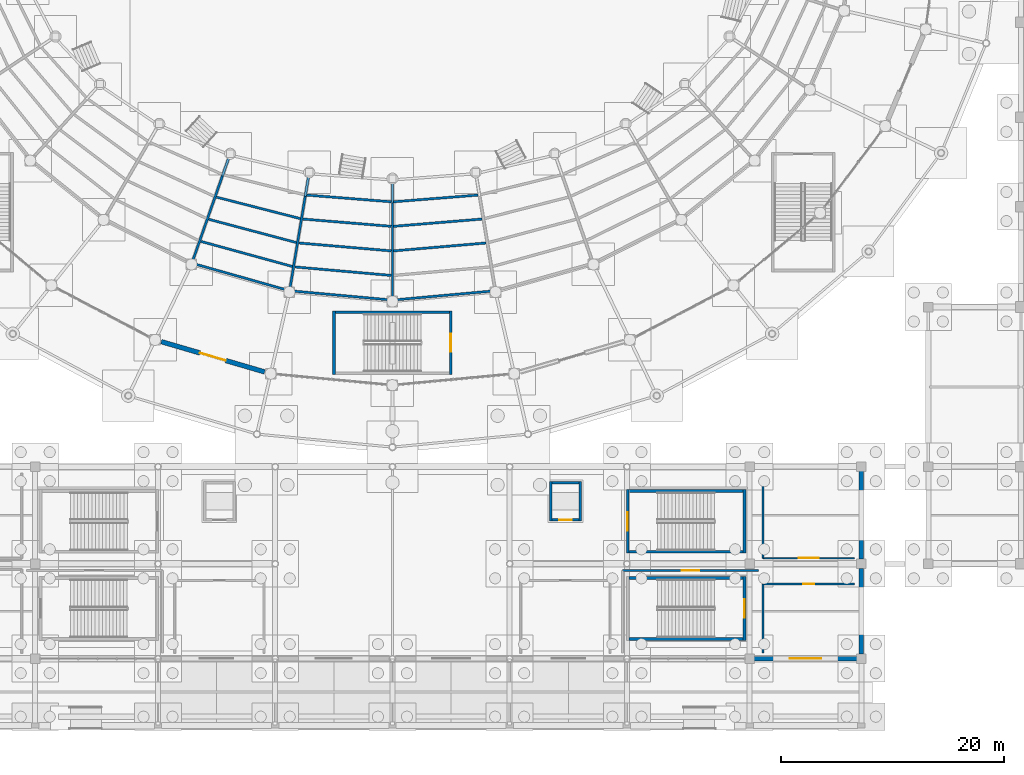
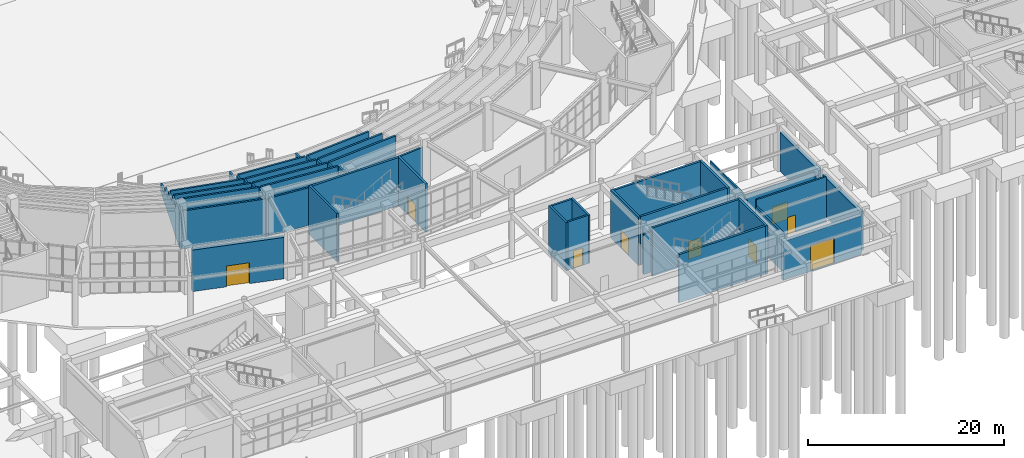
# One storey, part 84 of 121: 39 walls, 9 doors, 9 openings.
"""IFC4 building model written with IfcOpenShell, lengths in metres."""

from ifc_helpers import new_model, si_unit, direction, frame, frame_2d, origin, place, context, subcontext, project, spatial, polyline, rectangle, outline, extrude, material, layer, layer_set, type_object, element, fill, save


model = new_model("IFC4")

# Units and contexts
model_context = context("Model", 3, precision=1e-05, world=origin(), true_north=direction((0.0, 1.0)))
body_context = subcontext(model_context, "Body", "Model", "MODEL_VIEW")
ifc_project = project(units=[si_unit("LENGTHUNIT", "METRE"), si_unit("AREAUNIT", "SQUARE_METRE"), si_unit("VOLUMEUNIT", "CUBIC_METRE"), si_unit("PLANEANGLEUNIT", "RADIAN"), si_unit("MASSUNIT", "GRAM", prefix="KILO")], contexts=[model_context])

# Site, building, storey
site_placement = place(None, origin())
site = spatial("IfcSite", under=ifc_project, at=site_placement, CompositionType="ELEMENT")
building_placement = place(site_placement, origin())
building = spatial("IfcBuilding", under=site, at=building_placement, Name="Cuetzalor Civic Arena", CompositionType="ELEMENT")
storey_placement = place(building_placement, origin())
storey = spatial("IfcBuildingStorey", under=building, at=storey_placement, Name="L00", CompositionType="ELEMENT", Elevation=0.0)

# Wall, opening, door
ifc_material_1 = material(Name="Acoustic steel-stud gypsum partition", Category="steel")
ifc_layer_1 = layer(ifc_material_1, 0.14990234375)
ifc_layer_set_1 = layer_set([ifc_layer_1], Name="Acoustic steel-stud gypsum partition")
wall_type_1 = type_object("IfcWallType", Name="AcousticGypsumPartition_150", PredefinedType="PARTITIONING", material=ifc_layer_set_1)
wall_1_placement = place(storey_placement, frame((41.39990234375, -56.5, 0.0), z_axis=(0.0, 0.0, 1.0), x_axis=(-1.0, 0.0, 0.0)))
wall_1 = element("IfcWall", 1, at=wall_1_placement, inside=storey, type_object=wall_type_1, Name="Interior Partition IWALL:L00:0077", PredefinedType="PARTITIONING", context=body_context, shape_type="SweptSolid", body=[
    extrude(rectangle(XDim=8.199951171875, YDim=0.14990234375, at=frame_2d((4.10009765625, 0.0))), origin(), (0.0, 0.0, 1.0), 4.824951171875),
])
opening_1_placement = place(wall_1_placement, frame((3.199951171875, 0.0, 0.0)))
opening_1 = element("IfcOpeningElement", 2, at=opening_1_placement, cuts=wall_1, Name="Opening ID-06", PredefinedType="OPENING", context=body_context, shape_type="SweptSolid", body=[
    extrude(rectangle(XDim=1.800048828125, YDim=2.199951171875, at=frame_2d((0.89990234375, 1.10009765625))), frame((0.0, 0.0849609375, 0.0), z_axis=(0.0, -1.0, 0.0), x_axis=(1.0, 0.0, 0.0)), (0.0, 0.0, 1.0), 0.169921875),
])
ifc_material_2 = material(Name="Glazed bronze acoustic double door", Category="metal")
door_type_1 = type_object("IfcDoorType", Name="PublicDoubleDoor_1800x2200", OperationType="DOUBLE_DOOR_SINGLE_SWING", PredefinedType="DOOR", material=ifc_material_2)
door_1_placement = place(opening_1_placement, origin())
door_1 = element("IfcDoor", 3, at=door_1_placement, inside=storey, type_object=door_type_1, Name="Door to Arena Cafe", OperationType="DOUBLE_DOOR_SINGLE_SWING", OverallHeight=2.199951171875, OverallWidth=1.800048828125, PredefinedType="DOOR", context=body_context, shape_type="SweptSolid", body=[
    extrude(rectangle(XDim=1.800048828125, YDim=2.199951171875, at=frame_2d((0.89990234375, 1.10009765625))), frame((0.0, 0.02490234375, 0.0), z_axis=(0.0, -1.0, 0.0), x_axis=(1.0, 0.0, 0.0)), (0.0, 0.0, 1.0), 0.050048828125),
])
fill(opening_1, door_1)

# Wall
wall_2_placement = place(storey_placement, frame((33.199951171875, -56.5, 0.0), z_axis=(0.0, 0.0, 1.0), x_axis=(0.0, 1.0, 0.0)))
element("IfcWall", 4, at=wall_2_placement, inside=storey, type_object=wall_type_1, Name="Interior Partition IWALL:L00:0078", PredefinedType="PARTITIONING", context=body_context, shape_type="SweptSolid", body=[
    extrude(rectangle(XDim=7.0, YDim=0.14990234375, at=frame_2d((3.5, 0.0))), origin(), (0.0, 0.0, 1.0), 4.824951171875),
])

# Wall, opening, door
ifc_material_3 = material(Name="Puebla cantera gris stone on Concrete C35/45", Category="masonry")
ifc_layer_2 = layer(ifc_material_3, 0.419921875)
ifc_layer_set_2 = layer_set([ifc_layer_2], Name="Puebla cantera gris stone on Concrete C35/45")
wall_type_2 = type_object("IfcWallType", Name="CanteraStoneArcadeWall_420", PredefinedType="SOLIDWALL", material=ifc_layer_set_2)
wall_3_placement = place(storey_placement, frame((-11.451904296875, -39.8115234375, 0.0), z_axis=(0.0, 0.0, 1.0), x_axis=(-0.95970445843, 0.281011303101, 0.0)))
wall_3 = element("IfcWall", 5, at=wall_3_placement, inside=storey, type_object=wall_type_2, Name="Drum Ground Colonnade Portal Wall L00-006", PredefinedType="SOLIDWALL", context=body_context, shape_type="SweptSolid", body=[
    extrude(rectangle(XDim=9.64892578125, YDim=0.419921875, at=frame_2d((4.824462890625, 0.0))), origin(), (0.0, 0.0, 1.0), 5.156982421875),
])
opening_2_placement = place(wall_3_placement, frame((3.62451171875, 0.0, 0.0)))
opening_2 = element("IfcOpeningElement", 6, at=opening_2_placement, cuts=wall_3, Name="Opening ED-08", PredefinedType="OPENING", context=body_context, shape_type="SweptSolid", body=[
    extrude(rectangle(XDim=2.39990234375, YDim=2.60009765625, at=frame_2d((1.199951171875, 1.300048828125))), frame((0.0, 0.219970703125, 0.0), z_axis=(0.0, -1.0, 0.0), x_axis=(1.0, 0.0, 0.0)), (0.0, 0.0, 1.0), 0.43994140625),
])
ifc_material_4 = material(Name="Thermally broken bronze steel and laminated glass", Category="steel")
door_type_2 = type_object("IfcDoorType", Name="PedestrianExitPortal_2400x2600", OperationType="DOUBLE_DOOR_SINGLE_SWING", PredefinedType="DOOR", material=ifc_material_4)
door_2_placement = place(opening_2_placement, origin())
door_2 = element("IfcDoor", 7, at=door_2_placement, inside=storey, type_object=door_type_2, Name="Pedestrian exit gate G06", OperationType="DOUBLE_DOOR_SINGLE_SWING", OverallHeight=2.60009765625, OverallWidth=2.39990234375, PredefinedType="DOOR", context=body_context, shape_type="SweptSolid", body=[
    extrude(rectangle(XDim=2.39990234375, YDim=2.60009765625, at=frame_2d((1.199951171875, 1.300048828125))), frame((0.0, 0.02490234375, 0.0), z_axis=(0.0, -1.0, 0.0), x_axis=(1.0, 0.0, 0.0)), (0.0, 0.0, 1.0), 0.050048828125),
])
fill(opening_2, door_2)

wall_4_placement = place(storey_placement, frame((41.593017578125, -65.5, 0.0), z_axis=(0.0, 0.0, 1.0), x_axis=(-1.0, 0.0, 0.0)))
wall_4 = element("IfcWall", 8, at=wall_4_placement, inside=storey, type_object=wall_type_2, Name="South Foyer Colonnade Entrance Wall L00-094", PredefinedType="SOLIDWALL", context=body_context, shape_type="SweptSolid", body=[
    extrude(rectangle(XDim=9.18603515625, YDim=0.419921875, at=frame_2d((4.593017578125, 0.0))), origin(), (0.0, 0.0, 1.0), 4.840087890625),
])
opening_3_placement = place(wall_4_placement, frame((3.193115234375, 0.0, 0.0)))
opening_3 = element("IfcOpeningElement", 9, at=opening_3_placement, cuts=wall_4, Name="Opening ED-03", PredefinedType="OPENING", context=body_context, shape_type="SweptSolid", body=[
    extrude(rectangle(XDim=2.800048828125, YDim=3.199951171875, at=frame_2d((1.39990234375, 1.60009765625))), frame((0.0, 0.219970703125, 0.0), z_axis=(0.0, -1.0, 0.0), x_axis=(1.0, 0.0, 0.0)), (0.0, 0.0, 1.0), 0.43994140625),
])
ifc_material_5 = material(Name="Thermally broken bronze steel and laminated glass", Category="steel")
door_type_3 = type_object("IfcDoorType", Name="MainColonnadeEntrance_2800x3200", OperationType="DOUBLE_DOOR_SINGLE_SWING", PredefinedType="DOOR", material=ifc_material_5)
door_3_placement = place(opening_3_placement, origin())
door_3 = element("IfcDoor", 10, at=door_3_placement, inside=storey, type_object=door_type_3, Name="Main entrance E06", OperationType="DOUBLE_DOOR_SINGLE_SWING", OverallHeight=3.199951171875, OverallWidth=2.800048828125, PredefinedType="DOOR", context=body_context, shape_type="SweptSolid", body=[
    extrude(rectangle(XDim=2.800048828125, YDim=3.199951171875, at=frame_2d((1.39990234375, 1.60009765625))), frame((0.0, 0.02490234375, 0.0), z_axis=(0.0, -1.0, 0.0), x_axis=(1.0, 0.0, 0.0)), (0.0, 0.0, 1.0), 0.050048828125),
])
fill(opening_3, door_3)

# Walls
ifc_material_6 = material(Name="Concrete C40/50", Category="concrete")
ifc_layer_3 = layer(ifc_material_6, 0.25)
ifc_layer_set_3 = layer_set([ifc_layer_3], Name="Concrete C40/50")
wall_type_3 = type_object("IfcWallType", Name="ConcreteCoreShearWall_250", PredefinedType="SHEAR", material=ifc_layer_set_3)
wall_5_placement = place(storey_placement, frame((-5.22509765625, -40.050048828125, 0.0), z_axis=(0.0, 0.0, 1.0), x_axis=(0.0, 1.0, 0.0)))
element("IfcWall", 11, at=wall_5_placement, inside=storey, type_object=wall_type_3, Name="Stair Core Shear Wall ST-07-L00-W", PredefinedType="SHEAR", context=body_context, shape_type="SweptSolid", body=[
    extrude(rectangle(XDim=5.699951171875, YDim=0.25, at=frame_2d((2.85009765625, 0.0))), origin(), (0.0, 0.0, 1.0), 6.0),
])
wall_6_placement = place(storey_placement, frame((-5.10009765625, -34.47509765625, 0.0), z_axis=(0.0, 0.0, 1.0), x_axis=(1.0, 0.0, 0.0)))
element("IfcWall", 12, at=wall_6_placement, inside=storey, type_object=wall_type_3, Name="Stair Core Shear Wall ST-07-L00-N", PredefinedType="SHEAR", context=body_context, shape_type="SweptSolid", body=[
    extrude(rectangle(XDim=10.2001953125, YDim=0.25, at=frame_2d((5.10009765625, 0.0))), origin(), (0.0, 0.0, 1.0), 6.0),
])

# Wall, opening, door
wall_7_placement = place(storey_placement, frame((5.22509765625, -34.35009765625, 0.0), z_axis=(0.0, 0.0, 1.0), x_axis=(0.0, -1.0, 0.0)))
wall_7 = element("IfcWall", 13, at=wall_7_placement, inside=storey, type_object=wall_type_3, Name="Stair Core Shear Wall ST-07-L00-E", PredefinedType="SHEAR", context=body_context, shape_type="SweptSolid", body=[
    extrude(rectangle(XDim=5.699951171875, YDim=0.25, at=frame_2d((2.85009765625, 0.0))), origin(), (0.0, 0.0, 1.0), 6.0),
])
opening_4_placement = place(wall_7_placement, frame((2.02490234375, 0.0, 0.0)))
opening_4 = element("IfcOpeningElement", 14, at=opening_4_placement, cuts=wall_7, Name="Opening FD-04", PredefinedType="OPENING", context=body_context, shape_type="SweptSolid", body=[
    extrude(rectangle(XDim=1.64990234375, YDim=2.199951171875, at=frame_2d((0.824951171875, 1.10009765625))), frame((0.0, 0.135009765625, 0.0), z_axis=(0.0, -1.0, 0.0), x_axis=(1.0, 0.0, 0.0)), (0.0, 0.0, 1.0), 0.27001953125),
])
ifc_material_7 = material(Name="Fire-rated steel stair exit double door", Category="steel")
door_type_4 = type_object("IfcDoorType", Name="StairFireDoubleDoor_1650x2200", OperationType="DOUBLE_DOOR_SINGLE_SWING", PredefinedType="DOOR", material=ifc_material_7)
door_4_placement = place(opening_4_placement, origin())
door_4 = element("IfcDoor", 15, at=door_4_placement, inside=storey, type_object=door_type_4, Name="Fire Stair Door ST-07 L00", OperationType="DOUBLE_DOOR_SINGLE_SWING", OverallHeight=2.199951171875, OverallWidth=1.64990234375, PredefinedType="DOOR", context=body_context, shape_type="SweptSolid", body=[
    extrude(rectangle(XDim=1.64990234375, YDim=2.199951171875, at=frame_2d((0.824951171875, 1.10009765625))), frame((0.0, 0.02490234375, 0.0), z_axis=(0.0, -1.0, 0.0), x_axis=(1.0, 0.0, 0.0)), (0.0, 0.0, 1.0), 0.050048828125),
])
fill(opening_4, door_4)

wall_8_placement = place(storey_placement, frame((21.074951171875, -56.050048828125, 0.0), z_axis=(0.0, 0.0, 1.0), x_axis=(0.0, 1.0, 0.0)))
wall_8 = element("IfcWall", 16, at=wall_8_placement, inside=storey, type_object=wall_type_3, Name="Stair Core Shear Wall ST-11-L00-W", PredefinedType="SHEAR", context=body_context, shape_type="SweptSolid", body=[
    extrude(rectangle(XDim=5.699951171875, YDim=0.25, at=frame_2d((2.85009765625, 0.0))), origin(), (0.0, 0.0, 1.0), 6.0),
])
opening_5_placement = place(wall_8_placement, frame((2.02490234375, 0.0, 0.0)))
opening_5 = element("IfcOpeningElement", 17, at=opening_5_placement, cuts=wall_8, Name="Opening FD-04", PredefinedType="OPENING", context=body_context, shape_type="SweptSolid", body=[
    extrude(rectangle(XDim=1.64990234375, YDim=2.199951171875, at=frame_2d((0.824951171875, 1.10009765625))), frame((0.0, 0.135009765625, 0.0), z_axis=(0.0, -1.0, 0.0), x_axis=(1.0, 0.0, 0.0)), (0.0, 0.0, 1.0), 0.27001953125),
])
door_5_placement = place(opening_5_placement, origin())
door_5 = element("IfcDoor", 18, at=door_5_placement, inside=storey, type_object=door_type_4, Name="Fire Stair Door ST-11 L00", OperationType="DOUBLE_DOOR_SINGLE_SWING", OverallHeight=2.199951171875, OverallWidth=1.64990234375, PredefinedType="DOOR", context=body_context, shape_type="SweptSolid", body=[
    extrude(rectangle(XDim=1.64990234375, YDim=2.199951171875, at=frame_2d((0.824951171875, 1.10009765625))), frame((0.0, 0.02490234375, 0.0), z_axis=(0.0, -1.0, 0.0), x_axis=(1.0, 0.0, 0.0)), (0.0, 0.0, 1.0), 0.050048828125),
])
fill(opening_5, door_5)

# Walls
wall_9_placement = place(storey_placement, frame((21.199951171875, -50.47509765625, 0.0), z_axis=(0.0, 0.0, 1.0), x_axis=(1.0, 0.0, 0.0)))
element("IfcWall", 19, at=wall_9_placement, inside=storey, type_object=wall_type_3, Name="Stair Core Shear Wall ST-11-L00-N", PredefinedType="SHEAR", context=body_context, shape_type="SweptSolid", body=[
    extrude(rectangle(XDim=10.199951171875, YDim=0.25, at=frame_2d((5.10009765625, 0.0))), origin(), (0.0, 0.0, 1.0), 6.0),
])
wall_10_placement = place(storey_placement, frame((31.52490234375, -50.35009765625, 0.0), z_axis=(0.0, 0.0, 1.0), x_axis=(0.0, -1.0, 0.0)))
element("IfcWall", 20, at=wall_10_placement, inside=storey, type_object=wall_type_3, Name="Stair Core Shear Wall ST-11-L00-E", PredefinedType="SHEAR", context=body_context, shape_type="SweptSolid", body=[
    extrude(rectangle(XDim=5.699951171875, YDim=0.25, at=frame_2d((2.85009765625, 0.0))), origin(), (0.0, 0.0, 1.0), 6.0),
])
for number, where, z_axis, x_axis, name in (
    (21, (31.39990234375, -55.925048828125, 0.0), (0.0, 0.0, 1.0), (-1.0, 0.0, 0.0), "Stair Core Shear Wall ST-11-L00-S"),
    (22, (21.199951171875, -58.27490234375, 0.0), (0.0, 0.0, 1.0), (1.0, 0.0, 0.0), "Stair Core Shear Wall ST-12-L00-N"),
):
    element("IfcWall", number, at=place(storey_placement, frame(where, z_axis=z_axis, x_axis=x_axis)), inside=storey, type_object=wall_type_3, Name=name, PredefinedType="SHEAR", context=body_context, shape_type="SweptSolid", body=[
        extrude(rectangle(XDim=10.199951171875, YDim=0.25, at=frame_2d((5.10009765625, 0.0))), origin(), (0.0, 0.0, 1.0), 6.0),
    ])

# Wall, opening, door
wall_11_placement = place(storey_placement, frame((31.52490234375, -58.14990234375, 0.0), z_axis=(0.0, 0.0, 1.0), x_axis=(0.0, -1.0, 0.0)))
wall_11 = element("IfcWall", 23, at=wall_11_placement, inside=storey, type_object=wall_type_3, Name="Stair Core Shear Wall ST-12-L00-E", PredefinedType="SHEAR", context=body_context, shape_type="SweptSolid", body=[
    extrude(rectangle(XDim=5.7001953125, YDim=0.25, at=frame_2d((2.85009765625, 0.0))), origin(), (0.0, 0.0, 1.0), 6.0),
])
opening_6_placement = place(wall_11_placement, frame((2.02490234375, 0.0, 0.0)))
opening_6 = element("IfcOpeningElement", 24, at=opening_6_placement, cuts=wall_11, Name="Opening FD-04", PredefinedType="OPENING", context=body_context, shape_type="SweptSolid", body=[
    extrude(rectangle(XDim=1.64990234375, YDim=2.199951171875, at=frame_2d((0.824951171875, 1.10009765625))), frame((0.0, 0.135009765625, 0.0), z_axis=(0.0, -1.0, 0.0), x_axis=(1.0, 0.0, 0.0)), (0.0, 0.0, 1.0), 0.27001953125),
])
door_6_placement = place(opening_6_placement, origin())
door_6 = element("IfcDoor", 25, at=door_6_placement, inside=storey, type_object=door_type_4, Name="Fire Stair Door ST-12 L00", OperationType="DOUBLE_DOOR_SINGLE_SWING", OverallHeight=2.199951171875, OverallWidth=1.64990234375, PredefinedType="DOOR", context=body_context, shape_type="SweptSolid", body=[
    extrude(rectangle(XDim=1.64990234375, YDim=2.199951171875, at=frame_2d((0.824951171875, 1.10009765625))), frame((0.0, 0.02490234375, 0.0), z_axis=(0.0, -1.0, 0.0), x_axis=(1.0, 0.0, 0.0)), (0.0, 0.0, 1.0), 0.050048828125),
])
fill(opening_6, door_6)

# Wall
wall_12_placement = place(storey_placement, frame((31.39990234375, -63.72509765625, 0.0), z_axis=(0.0, 0.0, 1.0), x_axis=(-1.0, 0.0, 0.0)))
element("IfcWall", 26, at=wall_12_placement, inside=storey, type_object=wall_type_3, Name="Stair Core Shear Wall ST-12-L00-S", PredefinedType="SHEAR", context=body_context, shape_type="SweptSolid", body=[
    extrude(rectangle(XDim=10.199951171875, YDim=0.25, at=frame_2d((5.10009765625, 0.0))), origin(), (0.0, 0.0, 1.0), 6.0),
])

# Wall, opening, door
ifc_material_8 = material(Name="Fire-rated masonry and gypsum partition", Category="masonry")
ifc_layer_4 = layer(ifc_material_8, 0.199951171875)
ifc_layer_set_4 = layer_set([ifc_layer_4], Name="Fire-rated masonry and gypsum partition")
wall_type_4 = type_object("IfcWallType", Name="FireCompartmentWall_200", PredefinedType="PARTITIONING", material=ifc_layer_set_4)
wall_13_placement = place(storey_placement, frame((33.199951171875, -58.800048828125, 0.0), z_axis=(0.0, 0.0, 1.0), x_axis=(1.0, 0.0, 0.0)))
wall_13 = element("IfcWall", 27, at=wall_13_placement, inside=storey, type_object=wall_type_4, Name="Interior Partition IWALL:L00:0079", PredefinedType="PARTITIONING", context=body_context, shape_type="SweptSolid", body=[
    extrude(rectangle(XDim=8.199951171875, YDim=0.199951171875, at=frame_2d((4.10009765625, 0.0))), origin(), (0.0, 0.0, 1.0), 5.639892578125),
])
opening_7_placement = place(wall_13_placement, frame((3.60009765625, 0.0, 0.0)))
opening_7 = element("IfcOpeningElement", 28, at=opening_7_placement, cuts=wall_13, Name="Opening FD-01", PredefinedType="OPENING", context=body_context, shape_type="SweptSolid", body=[
    extrude(rectangle(XDim=1.0, YDim=2.14990234375, at=frame_2d((0.5, 1.074951171875))), frame((0.0, 0.10986328125, 0.0), z_axis=(0.0, -1.0, 0.0), x_axis=(1.0, 0.0, 0.0)), (0.0, 0.0, 1.0), 0.219970703125),
])
ifc_material_9 = material(Name="Fire-rated insulated steel door", Category="steel")
door_type_5 = type_object("IfcDoorType", Name="FireSingleDoor_1000x2150", OperationType="NOTDEFINED", PredefinedType="DOOR", material=ifc_material_9)
door_7_placement = place(opening_7_placement, origin())
door_7 = element("IfcDoor", 29, at=door_7_placement, inside=storey, type_object=door_type_5, Name="Door to Fire Command Centre L00", OperationType="SINGLE_SWING_LEFT", OverallHeight=2.14990234375, OverallWidth=1.0, PredefinedType="DOOR", context=body_context, shape_type="SweptSolid", body=[
    extrude(rectangle(XDim=1.0, YDim=2.14990234375, at=frame_2d((0.5, 1.074951171875))), frame((0.0, 0.02490234375, 0.0), z_axis=(0.0, -1.0, 0.0), x_axis=(1.0, 0.0, 0.0)), (0.0, 0.0, 1.0), 0.050048828125),
])
fill(opening_7, door_7)

# Wall
wall_14_placement = place(storey_placement, frame((33.199951171875, -65.0, 0.0), z_axis=(0.0, 0.0, 1.0), x_axis=(0.0, 1.0, 0.0)))
element("IfcWall", 30, at=wall_14_placement, inside=storey, type_object=wall_type_4, Name="Interior Partition IWALL:L00:0080", PredefinedType="PARTITIONING", context=body_context, shape_type="SweptSolid", body=[
    extrude(rectangle(XDim=6.199951171875, YDim=0.199951171875, at=frame_2d((3.10009765625, 0.0))), origin(), (0.0, 0.0, 1.0), 4.824951171875),
])

# Wall, opening, door
wall_15_placement = place(storey_placement, frame((20.60009765625, -57.60009765625, 0.0), z_axis=(0.0, 0.0, 1.0), x_axis=(1.0, 0.0, 0.0)))
wall_15 = element("IfcWall", 31, at=wall_15_placement, inside=storey, type_object=wall_type_4, Name="Interior Partition IWALL:L00:0089", PredefinedType="PARTITIONING", context=body_context, shape_type="SweptSolid", body=[
    extrude(rectangle(XDim=12.199951171875, YDim=0.199951171875, at=frame_2d((6.10009765625, 0.0))), origin(), (0.0, 0.0, 1.0), 5.02490234375),
])
opening_8_placement = place(wall_15_placement, frame((5.300048828125, 0.0, 0.0)))
opening_8 = element("IfcOpeningElement", 32, at=opening_8_placement, cuts=wall_15, Name="Opening FD-05", PredefinedType="OPENING", context=body_context, shape_type="SweptSolid", body=[
    extrude(rectangle(XDim=1.60009765625, YDim=2.199951171875, at=frame_2d((0.800048828125, 1.10009765625))), frame((0.0, 0.10986328125, 0.0), z_axis=(0.0, -1.0, 0.0), x_axis=(1.0, 0.0, 0.0)), (0.0, 0.0, 1.0), 0.219970703125),
])
ifc_material_10 = material(Name="Fire-rated smoke-seal lobby double door", Category="steel")
door_type_6 = type_object("IfcDoorType", Name="FireLobbyDoubleDoor_1600x2200", OperationType="DOUBLE_DOOR_SINGLE_SWING", PredefinedType="DOOR", material=ifc_material_10)
door_8_placement = place(opening_8_placement, origin())
door_8 = element("IfcDoor", 33, at=door_8_placement, inside=storey, type_object=door_type_6, Name="Door to Protected Exit Lobby Foyer East L00", OperationType="DOUBLE_DOOR_SINGLE_SWING", OverallHeight=2.199951171875, OverallWidth=1.60009765625, PredefinedType="DOOR", context=body_context, shape_type="SweptSolid", body=[
    extrude(rectangle(XDim=1.60009765625, YDim=2.199951171875, at=frame_2d((0.800048828125, 1.10009765625))), frame((0.0, 0.02490234375, 0.0), z_axis=(0.0, -1.0, 0.0), x_axis=(1.0, 0.0, 0.0)), (0.0, 0.0, 1.0), 0.050048828125),
])
fill(opening_8, door_8)

# Walls
ifc_material_11 = material(Name="Concrete C40/50", Category="concrete")
ifc_layer_5 = layer(ifc_material_11, 0.219970703125)
ifc_layer_set_5 = layer_set([ifc_layer_5], Name="Concrete C40/50")
wall_type_5 = type_object("IfcWallType", Name="LiftShaftShearWall_220", PredefinedType="SHEAR", material=ifc_layer_set_5)
wall_16_placement = place(storey_placement, frame((14.18994140625, -53.169921875, 0.0), z_axis=(0.0, 0.0, 1.0), x_axis=(0.0, 1.0, 0.0)))
element("IfcWall", 34, at=wall_16_placement, inside=storey, type_object=wall_type_5, Name="Lift Shaft Wall LP-02-L00-W", PredefinedType="SHEAR", context=body_context, shape_type="SweptSolid", body=[
    extrude(rectangle(XDim=3.5400390625, YDim=0.219970703125, at=frame_2d((1.77001953125, 0.0))), origin(), (0.0, 0.0, 1.0), 6.0),
])
wall_17_placement = place(storey_placement, frame((14.300048828125, -49.739990234375, 0.0), z_axis=(0.0, 0.0, 1.0), x_axis=(1.0, 0.0, 0.0)))
element("IfcWall", 35, at=wall_17_placement, inside=storey, type_object=wall_type_5, Name="Lift Shaft Wall LP-02-L00-N", PredefinedType="SHEAR", context=body_context, shape_type="SweptSolid", body=[
    extrude(rectangle(XDim=2.39990234375, YDim=0.219970703125, at=frame_2d((1.199951171875, 0.0))), origin(), (0.0, 0.0, 1.0), 6.0),
])
wall_18_placement = place(storey_placement, frame((16.81005859375, -49.6298828125, 0.0), z_axis=(0.0, 0.0, 1.0), x_axis=(0.0, -1.0, 0.0)))
element("IfcWall", 36, at=wall_18_placement, inside=storey, type_object=wall_type_5, Name="Lift Shaft Wall LP-02-L00-E", PredefinedType="SHEAR", context=body_context, shape_type="SweptSolid", body=[
    extrude(rectangle(XDim=3.5400390625, YDim=0.219970703125, at=frame_2d((1.77001953125, 0.0))), origin(), (0.0, 0.0, 1.0), 6.0),
])

# Wall, opening, door
wall_19_placement = place(storey_placement, frame((16.699951171875, -53.06005859375, 0.0), z_axis=(0.0, 0.0, 1.0), x_axis=(-1.0, 0.0, 0.0)))
wall_19 = element("IfcWall", 37, at=wall_19_placement, inside=storey, type_object=wall_type_5, Name="Lift Shaft Wall LP-02-L00-S", PredefinedType="SHEAR", context=body_context, shape_type="SweptSolid", body=[
    extrude(rectangle(XDim=2.39990234375, YDim=0.219970703125, at=frame_2d((1.199951171875, 0.0))), origin(), (0.0, 0.0, 1.0), 6.0),
])
opening_9_placement = place(wall_19_placement, frame((0.64990234375, 0.0, 0.0)))
opening_9 = element("IfcOpeningElement", 38, at=opening_9_placement, cuts=wall_19, Name="Opening LD-01", PredefinedType="OPENING", context=body_context, shape_type="SweptSolid", body=[
    extrude(rectangle(XDim=1.10009765625, YDim=2.199951171875, at=frame_2d((0.550048828125, 1.10009765625))), frame((0.0, 0.1201171875, 0.0), z_axis=(0.0, -1.0, 0.0), x_axis=(1.0, 0.0, 0.0)), (0.0, 0.0, 1.0), 0.239990234375),
])
ifc_material_12 = material(Name="Brushed stainless steel sliding lift landing door", Category="steel")
door_type_7 = type_object("IfcDoorType", Name="LiftLandingSlidingDoor_1100x2200", OperationType="SLIDING_TO_LEFT", PredefinedType="DOOR", material=ifc_material_12)
door_9_placement = place(opening_9_placement, origin())
door_9 = element("IfcDoor", 39, at=door_9_placement, inside=storey, type_object=door_type_7, Name="Lift Landing Sliding Door LP-02 L00", OperationType="SLIDING_TO_LEFT", OverallHeight=2.199951171875, OverallWidth=1.10009765625, PredefinedType="DOOR", context=body_context, shape_type="SweptSolid", body=[
    extrude(rectangle(XDim=1.10009765625, YDim=2.199951171875, at=frame_2d((0.550048828125, 1.10009765625))), frame((0.0, 0.02490234375, 0.0), z_axis=(0.0, -1.0, 0.0), x_axis=(1.0, 0.0, 0.0)), (0.0, 0.0, 1.0), 0.050048828125),
])
fill(opening_9, door_9)

# Walls
ifc_material_13 = material(Name="Precast concrete C40/50", Category="concrete")
ifc_layer_6 = layer(ifc_material_13, 0.2099609375)
ifc_layer_set_6 = layer_set([ifc_layer_6], Name="Precast concrete C40/50")
wall_type_6 = type_object("IfcWallType", Name="PrecastBowlRiserWall_210", PredefinedType="SHEAR", material=ifc_layer_set_6)
wall_20_placement = place(storey_placement, frame((-14.53515625, -20.271728515625, 0.0), z_axis=(0.0, 0.0, 1.0), x_axis=(-0.33053164726, -0.94379490895, 0.0)))
element("IfcWall", 40, at=wall_20_placement, inside=storey, type_object=wall_type_6, Name="Lower Bowl Radial Carrier Wall S20", PredefinedType="SHEAR", context=body_context, shape_type="SweptSolid", body=[
    extrude(outline(polyline([(0.0, 0.0), (10.501220703125, 0.0), (10.5009765625, 4.699951171875), (8.410888671875, 4.699951171875), (8.40087890625, 3.780029296875), (6.310546875, 3.780029296875), (6.300537109375, 2.860107421875), (4.21044921875, 2.860107421875), (4.200439453125, 1.93994140625), (2.110107421875, 1.93994140625), (2.10009765625, 1.02001953125), (0.0, 1.02001953125), (0.0, 0.0)])), frame((0.0, 0.10498046875, 0.0), z_axis=(0.0, -1.0, 0.0), x_axis=(1.0, 0.0, 0.0)), (0.0, 0.0, 1.0), 0.2099609375),
])
wall_21_placement = place(storey_placement, frame((-15.766845703125, -24.15478515625, 0.0), z_axis=(0.0, 0.0, 1.0), x_axis=(0.968720668809, -0.248153714102, 0.0)))
element("IfcWall", 41, at=wall_21_placement, inside=storey, type_object=wall_type_6, Name="Lower Bowl Riser Support Wall S20-R2", PredefinedType="SHEAR", context=body_context, shape_type="SweptSolid", body=[
    extrude(rectangle(XDim=7.765380859375, YDim=0.2099609375, at=frame_2d((3.8828125, 0.0))), origin(), (0.0, 0.0, 1.0), 2.860107421875),
])
wall_22_placement = place(storey_placement, frame((-16.461181640625, -26.1376953125, 0.0), z_axis=(0.0, 0.0, 1.0), x_axis=(0.966491526887, -0.25669851666, 0.0)))
element("IfcWall", 42, at=wall_22_placement, inside=storey, type_object=wall_type_6, Name="Lower Bowl Riser Support Wall S20-R3", PredefinedType="SHEAR", context=body_context, shape_type="SweptSolid", body=[
    extrude(rectangle(XDim=8.133544921875, YDim=0.2099609375, at=frame_2d((4.06689453125, 0.0))), origin(), (0.0, 0.0, 1.0), 3.780029296875),
])
wall_23_placement = place(storey_placement, frame((-17.15576171875, -28.120849609375, 0.0), z_axis=(0.0, 0.0, 1.0), x_axis=(0.964389789843, -0.264485034069, 0.0)))
element("IfcWall", 43, at=wall_23_placement, inside=storey, type_object=wall_type_6, Name="Lower Bowl Riser Support Wall S20-R4", PredefinedType="SHEAR", context=body_context, shape_type="SweptSolid", body=[
    extrude(rectangle(XDim=8.50244140625, YDim=0.2099609375, at=frame_2d((4.251220703125, 0.0))), origin(), (0.0, 0.0, 1.0), 4.699951171875),
])
wall_24_placement = place(storey_placement, frame((-17.85009765625, -30.103515625, 0.0), z_axis=(0.0, 0.0, 1.0), x_axis=(0.962386234361, -0.271684993905, 0.0)))
element("IfcWall", 44, at=wall_24_placement, inside=storey, type_object=wall_type_6, Name="Lower Bowl Riser Support Wall S20-R5", PredefinedType="SHEAR", context=body_context, shape_type="SweptSolid", body=[
    extrude(rectangle(XDim=8.8720703125, YDim=0.2099609375, at=frame_2d((4.43603515625, 0.0))), origin(), (0.0, 0.0, 1.0), 4.699951171875),
])
wall_25_placement = place(storey_placement, frame((-7.45458984375, -21.935791015625, 0.0), z_axis=(0.0, 0.0, 1.0), x_axis=(-0.163739783963, -0.986503564691, 0.0)))
element("IfcWall", 45, at=wall_25_placement, inside=storey, type_object=wall_type_6, Name="Lower Bowl Radial Carrier Wall S21", PredefinedType="SHEAR", context=body_context, shape_type="SweptSolid", body=[
    extrude(outline(polyline([(0.0, 0.0), (10.87109375, 0.0), (10.870849609375, 4.699951171875), (8.706787109375, 4.699951171875), (8.69677734375, 3.780029296875), (6.532470703125, 3.780029296875), (6.5224609375, 2.860107421875), (4.3583984375, 2.860107421875), (4.348388671875, 1.93994140625), (2.18408203125, 1.93994140625), (2.17431640625, 1.02001953125), (0.0, 1.02001953125), (0.0, 0.0)])), frame((0.0, 0.10498046875, 0.0), z_axis=(0.0, -1.0, 0.0), x_axis=(1.0, 0.0, 0.0)), (0.0, 0.0, 1.0), 0.2099609375),
])
wall_26_placement = place(storey_placement, frame((-7.676025390625, -23.97216796875, 0.0), z_axis=(0.0, 0.0, 1.0), x_axis=(0.996878864227, -0.07894637457, 0.0)))
element("IfcWall", 46, at=wall_26_placement, inside=storey, type_object=wall_type_6, Name="Lower Bowl Riser Support Wall S21-R1", PredefinedType="SHEAR", context=body_context, shape_type="SweptSolid", body=[
    extrude(rectangle(XDim=7.592041015625, YDim=0.2099609375, at=frame_2d((3.7958984375, 0.0))), origin(), (0.0, 0.0, 1.0), 1.93994140625),
])
wall_27_placement = place(storey_placement, frame((-8.0322265625, -26.117431640625, 0.0), z_axis=(0.0, 0.0, 1.0), x_axis=(0.996616331172, -0.08219421173, 0.0)))
element("IfcWall", 47, at=wall_27_placement, inside=storey, type_object=wall_type_6, Name="Lower Bowl Riser Support Wall S21-R2", PredefinedType="SHEAR", context=body_context, shape_type="SweptSolid", body=[
    extrude(rectangle(XDim=7.951416015625, YDim=0.2099609375, at=frame_2d((3.9755859375, 0.0))), origin(), (0.0, 0.0, 1.0), 2.860107421875),
])
wall_28_placement = place(storey_placement, frame((-8.38818359375, -28.2626953125, 0.0), z_axis=(0.0, 0.0, 1.0), x_axis=(0.99636455298, -0.085192004117, 0.0)))
element("IfcWall", 48, at=wall_28_placement, inside=storey, type_object=wall_type_6, Name="Lower Bowl Riser Support Wall S21-R3", PredefinedType="SHEAR", context=body_context, shape_type="SweptSolid", body=[
    extrude(rectangle(XDim=8.310791015625, YDim=0.2099609375, at=frame_2d((4.1552734375, 0.0))), origin(), (0.0, 0.0, 1.0), 3.780029296875),
])
wall_29_placement = place(storey_placement, frame((-8.744384765625, -30.40771484375, 0.0), z_axis=(0.0, 0.0, 1.0), x_axis=(0.996123466493, -0.087966127016, 0.0)))
element("IfcWall", 49, at=wall_29_placement, inside=storey, type_object=wall_type_6, Name="Lower Bowl Riser Support Wall S21-R4", PredefinedType="SHEAR", context=body_context, shape_type="SweptSolid", body=[
    extrude(rectangle(XDim=8.67041015625, YDim=0.2099609375, at=frame_2d((4.335205078125, 0.0))), origin(), (0.0, 0.0, 1.0), 4.699951171875),
])
wall_30_placement = place(storey_placement, frame((-9.100341796875, -32.552978515625, 0.0), z_axis=(0.0, 0.0, 1.0), x_axis=(0.995896973117, -0.090494303335, 0.0)))
element("IfcWall", 50, at=wall_30_placement, inside=storey, type_object=wall_type_6, Name="Lower Bowl Riser Support Wall S21-R5", PredefinedType="SHEAR", context=body_context, shape_type="SweptSolid", body=[
    extrude(rectangle(XDim=9.02978515625, YDim=0.2099609375, at=frame_2d((4.514892578125, 0.0))), origin(), (0.0, 0.0, 1.0), 4.699951171875),
])
wall_31_placement = place(storey_placement, frame((0.0, -22.5, 0.0), z_axis=(0.0, 0.0, 1.0), x_axis=(0.0, -1.0, 0.0)))
element("IfcWall", 51, at=wall_31_placement, inside=storey, type_object=wall_type_6, Name="Lower Bowl Radial Carrier Wall S22", PredefinedType="SHEAR", context=body_context, shape_type="SweptSolid", body=[
    extrude(outline(polyline([(0.0, 0.0), (11.0, 0.0), (11.0, 4.699951171875), (8.81005859375, 4.699951171875), (8.800048828125, 3.780029296875), (6.610107421875, 3.780029296875), (6.60009765625, 2.860107421875), (4.409912109375, 2.860107421875), (4.39990234375, 1.93994140625), (2.2099609375, 1.93994140625), (2.199951171875, 1.02001953125), (0.0, 1.02001953125), (0.0, 0.0)])), frame((0.0, 0.10498046875, 0.0), z_axis=(0.0, -1.0, 0.0), x_axis=(1.0, 0.0, 0.0)), (0.0, 0.0, 1.0), 0.2099609375),
])
wall_32_placement = place(storey_placement, frame((0.107666015625, -24.571533203125, 0.0), z_axis=(0.0, 0.0, 1.0), x_axis=(0.996878864227, 0.07894637457, 0.0)))
element("IfcWall", 52, at=wall_32_placement, inside=storey, type_object=wall_type_6, Name="Lower Bowl Riser Support Wall S22-R1", PredefinedType="SHEAR", context=body_context, shape_type="SweptSolid", body=[
    extrude(rectangle(XDim=7.592041015625, YDim=0.2099609375, at=frame_2d((3.7958984375, 0.0))), origin(), (0.0, 0.0, 1.0), 1.93994140625),
])
wall_33_placement = place(storey_placement, frame((0.107666015625, -26.77099609375, 0.0), z_axis=(0.0, 0.0, 1.0), x_axis=(0.996616331172, 0.08219421173, 0.0)))
element("IfcWall", 53, at=wall_33_placement, inside=storey, type_object=wall_type_6, Name="Lower Bowl Riser Support Wall S22-R2", PredefinedType="SHEAR", context=body_context, shape_type="SweptSolid", body=[
    extrude(rectangle(XDim=7.951416015625, YDim=0.2099609375, at=frame_2d((3.9755859375, 0.0))), origin(), (0.0, 0.0, 1.0), 2.860107421875),
])
wall_34_placement = place(storey_placement, frame((0.107666015625, -28.970703125, 0.0), z_axis=(0.0, 0.0, 1.0), x_axis=(0.99636455298, 0.085192004117, 0.0)))
element("IfcWall", 54, at=wall_34_placement, inside=storey, type_object=wall_type_6, Name="Lower Bowl Riser Support Wall S22-R3", PredefinedType="SHEAR", context=body_context, shape_type="SweptSolid", body=[
    extrude(rectangle(XDim=8.310791015625, YDim=0.2099609375, at=frame_2d((4.1552734375, 0.0))), origin(), (0.0, 0.0, 1.0), 3.780029296875),
])
wall_35_placement = place(storey_placement, frame((0.107666015625, -33.3701171875, 0.0), z_axis=(0.0, 0.0, 1.0), x_axis=(0.995896973117, 0.090494303335, 0.0)))
element("IfcWall", 55, at=wall_35_placement, inside=storey, type_object=wall_type_6, Name="Lower Bowl Riser Support Wall S22-R5", PredefinedType="SHEAR", context=body_context, shape_type="SweptSolid", body=[
    extrude(rectangle(XDim=9.02978515625, YDim=0.2099609375, at=frame_2d((4.514892578125, 0.0))), origin(), (0.0, 0.0, 1.0), 4.699951171875),
])
ifc_material_14 = material(Name="Polychrome Talavera ceramic on Concrete C35/45", Category="concrete")
ifc_layer_7 = layer(ifc_material_14, 0.3798828125)
ifc_layer_set_7 = layer_set([ifc_layer_7], Name="Polychrome Talavera ceramic on Concrete C35/45")
wall_type_7 = type_object("IfcWallType", Name="TalaveraSpandrelWall_380", PredefinedType="SOLIDWALL", material=ifc_layer_set_7)
wall_36_placement = place(storey_placement, frame((42.0, -57.406982421875, 0.0), z_axis=(0.0, 0.0, 1.0), x_axis=(0.0, -1.0, 0.0)))
element("IfcWall", 56, at=wall_36_placement, inside=storey, type_object=wall_type_7, Name="South Foyer East End Wall L00-096", PredefinedType="SOLIDWALL", context=body_context, shape_type="SweptSolid", body=[
    extrude(rectangle(XDim=7.68603515625, YDim=0.3798828125, at=frame_2d((3.843017578125, 0.0))), origin(), (0.0, 0.0, 1.0), 4.840087890625),
])
wall_37_placement = place(storey_placement, frame((42.0, -48.70703125, 0.0), z_axis=(0.0, 0.0, 1.0), x_axis=(0.0, -1.0, 0.0)))
element("IfcWall", 57, at=wall_37_placement, inside=storey, type_object=wall_type_7, Name="South Foyer East End Wall L00-098", PredefinedType="SOLIDWALL", context=body_context, shape_type="SweptSolid", body=[
    extrude(rectangle(XDim=7.885986328125, YDim=0.3798828125, at=frame_2d((3.94287109375, 0.0))), origin(), (0.0, 0.0, 1.0), 4.840087890625),
])

save(model, "model.ifc")
